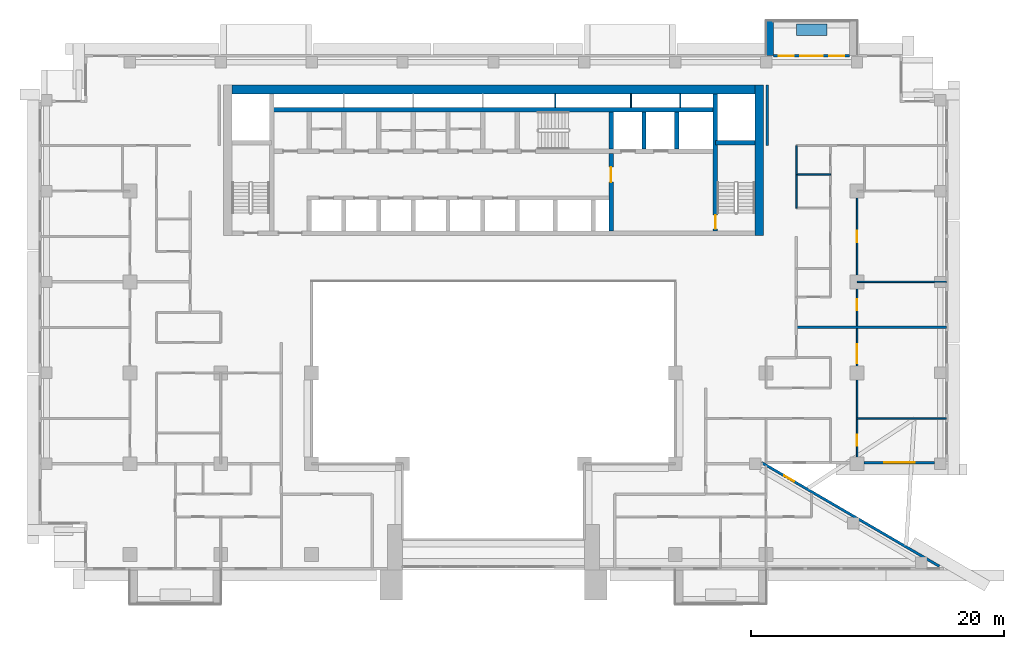
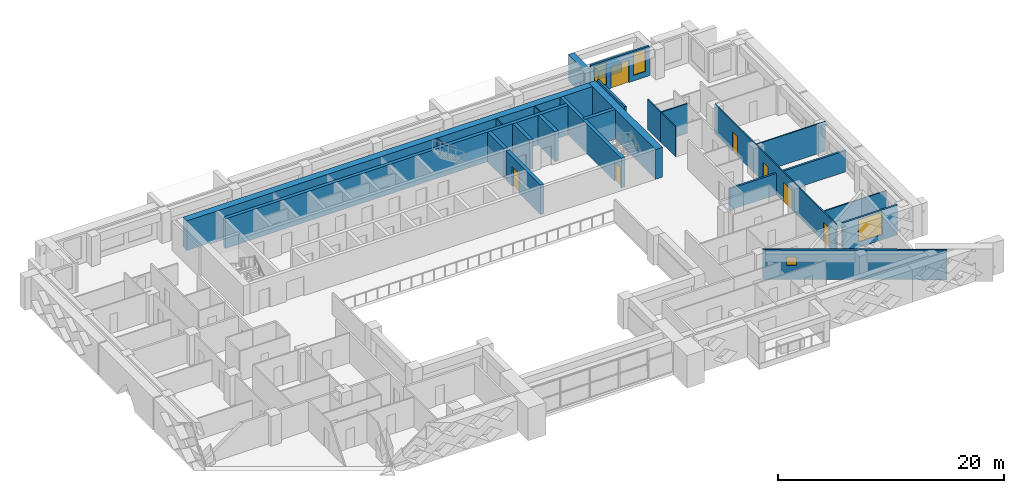
# One storey, part 11 of 19: 25 walls, 7 doors, 4 windows, 11 openings.
"""IFC4 building model written with IfcOpenShell, lengths in metres."""

from ifc_helpers import new_model, si_unit, direction, frame, frame_2d, origin, place, context, subcontext, project, spatial, rectangle, extrude, material, layer, layer_set, type_object, element, fill, save


model = new_model("IFC4")

# Units and contexts
model_context = context("Model", 3, precision=1e-05, world=origin(), true_north=direction((0.0, 1.0)))
body_context = subcontext(model_context, "Body", "Model", "MODEL_VIEW")
ifc_project = project(units=[si_unit("LENGTHUNIT", "METRE"), si_unit("AREAUNIT", "SQUARE_METRE"), si_unit("VOLUMEUNIT", "CUBIC_METRE"), si_unit("PLANEANGLEUNIT", "RADIAN"), si_unit("MASSUNIT", "GRAM", prefix="KILO")], contexts=[model_context])

# Site, building, storey
site_placement = place(None, origin())
site = spatial("IfcSite", under=ifc_project, at=site_placement, CompositionType="ELEMENT")
building_placement = place(site_placement, origin())
building = spatial("IfcBuilding", under=site, at=building_placement, Name="Saffron Iwan Residences", CompositionType="ELEMENT")
storey_placement = place(building_placement, frame((0.0, 0.0, 116.5)))
storey = spatial("IfcBuildingStorey", under=building, at=storey_placement, Name="L30", CompositionType="ELEMENT", Elevation=116.5)

# Walls
ifc_material_1 = material(Name="Concrete C50/60 white painted", Category="concrete")
ifc_layer_1 = layer(ifc_material_1, 0.60009765625)
ifc_layer_set_1 = layer_set([ifc_layer_1], Name="Concrete C50/60 white painted")
wall_type_1 = type_object("IfcWallType", Name="BALCONY FIN 600", PredefinedType="SOLIDWALL", material=ifc_layer_set_1)
wall_1_placement = place(storey_placement, frame((72.300048828125, 80.35009765625, 0.0), z_axis=(0.0, 0.0, 1.0), x_axis=(0.0, 1.0, 0.0)))
element("IfcWall", 1, at=wall_1_placement, inside=storey, type_object=wall_type_1, Name="Balcony fin L30 F5-0b", PredefinedType="SOLIDWALL", context=body_context, shape_type="SweptSolid", body=[
    extrude(rectangle(XDim=2.75, YDim=0.60009765625, at=frame_2d((1.375, 0.0))), origin(), (0.0, 0.0, 1.0), 2.85009765625),
])
ifc_material_2 = material(Name="Concrete C35/45 white painted", Category="concrete")
ifc_layer_2 = layer(ifc_material_2, 0.14990234375)
ifc_layer_set_2 = layer_set([ifc_layer_2], Name="Concrete C35/45 white painted")
wall_type_2 = type_object("IfcWallType", Name="BALCONY PLANTER", PredefinedType="SOLIDWALL", material=ifc_layer_set_2)
wall_2_placement = place(storey_placement, frame((76.800048828125, 82.375, 0.0), z_axis=(0.0, 0.0, 1.0), x_axis=(-1.0, 0.0, 0.0)))
element("IfcWall", 2, at=wall_2_placement, inside=storey, type_object=wall_type_2, Name="PLANTER L30 F5-0", PredefinedType="SOLIDWALL", context=body_context, shape_type="SweptSolid", body=[
    extrude(rectangle(XDim=2.400146484375, YDim=0.89990234375, at=frame_2d((1.2001953125, 0.0))), origin(), (0.0, 0.0, 1.0), 0.89990234375),
])

# Wall, opening, window
ifc_material_3 = material(Name="Concrete C40/50", Category="concrete")
ifc_layer_3 = layer(ifc_material_3, 0.199951171875)
ifc_layer_set_3 = layer_set([ifc_layer_3], Name="Concrete C40/50")
wall_type_3 = type_object("IfcWallType", Name="EXTERNAL WALL 200", PredefinedType="SOLIDWALL", material=ifc_layer_set_3)
wall_3_placement = place(storey_placement, frame((85.71923828125, 39.88134765625, 0.0), z_axis=(0.0, 0.0, 1.0), x_axis=(-0.86377618652, 0.503875678716, 0.0)))
wall_3 = element("IfcWall", 3, at=wall_3_placement, inside=storey, type_object=wall_type_3, Name="External wall L30 F0.0", PredefinedType="SOLIDWALL", context=body_context, shape_type="SweptSolid", body=[
    extrude(rectangle(XDim=16.31103515625, YDim=0.199951171875, at=frame_2d((8.155517578125, 0.0))), origin(), (0.0, 0.0, 1.0), 3.199951171875),
])
opening_1_placement = place(wall_3_placement, frame((13.32568359375, 0.0, 1.5)))
opening_1 = element("IfcOpeningElement", 4, at=opening_1_placement, cuts=wall_3, Name="Opening W6", PredefinedType="OPENING", context=body_context, shape_type="SweptSolid", body=[
    extrude(rectangle(XDim=0.89990234375, YDim=0.89990234375, at=frame_2d((0.449951171875, 0.449951171875))), frame((0.0, 0.10986328125, 0.0), z_axis=(0.0, -1.0, 0.0), x_axis=(1.0, 0.0, 0.0)), (0.0, 0.0, 1.0), 0.219970703125),
])
ifc_material_4 = material(Name="Clear glass, laminated double glazed", Category="glass")
window_type_1 = type_object("IfcWindowType", Name="WINDOW 900 x 900 BATH", PartitioningType="SINGLE_PANEL", PredefinedType="WINDOW", material=ifc_material_4)
window_1_placement = place(opening_1_placement, origin())
window_1 = element("IfcWindow", 5, at=window_1_placement, inside=storey, type_object=window_type_1, Name="Window L30 F0.0", OverallHeight=0.89990234375, OverallWidth=0.89990234375, PartitioningType="SINGLE_PANEL", PredefinedType="WINDOW", context=body_context, shape_type="SweptSolid", body=[
    extrude(rectangle(XDim=0.89990234375, YDim=0.89990234375, at=frame_2d((0.449951171875, 0.449951171875))), frame((0.0, 0.030029296875, 0.0), z_axis=(0.0, -1.0, 0.0), x_axis=(1.0, 0.0, 0.0)), (0.0, 0.0, 1.0), 0.06005859375),
])
fill(opening_1, window_1)

wall_4_placement = place(storey_placement, frame((79.75, 48.10009765625, 0.0), z_axis=(0.0, 0.0, 1.0), x_axis=(1.0, 0.0, 0.0)))
wall_4 = element("IfcWall", 6, at=wall_4_placement, inside=storey, type_object=wall_type_3, Name="External wall L30 F1.1", PredefinedType="SOLIDWALL", context=body_context, shape_type="SweptSolid", body=[
    extrude(rectangle(XDim=5.60009765625, YDim=0.199951171875, at=frame_2d((2.800048828125, 0.0))), origin(), (0.0, 0.0, 1.0), 3.199951171875),
])
opening_2_placement = place(wall_4_placement, frame((1.60009765625, 0.0, 0.60009765625)))
opening_2 = element("IfcOpeningElement", 7, at=opening_2_placement, cuts=wall_4, Name="Opening W1", PredefinedType="OPENING", context=body_context, shape_type="SweptSolid", body=[
    extrude(rectangle(XDim=2.39990234375, YDim=2.39990234375, at=frame_2d((1.199951171875, 1.199951171875))), frame((0.0, 0.10986328125, 0.0), z_axis=(0.0, -1.0, 0.0), x_axis=(1.0, 0.0, 0.0)), (0.0, 0.0, 1.0), 0.219970703125),
])
window_type_2 = type_object("IfcWindowType", Name="WINDOW 2400 x 2400", PartitioningType="DOUBLE_PANEL_VERTICAL", PredefinedType="WINDOW", material=ifc_material_4)
window_2_placement = place(opening_2_placement, origin())
window_2 = element("IfcWindow", 8, at=window_2_placement, inside=storey, type_object=window_type_2, Name="Window L30 F1.0", OverallHeight=2.39990234375, OverallWidth=2.39990234375, PartitioningType="DOUBLE_PANEL_VERTICAL", PredefinedType="WINDOW", context=body_context, shape_type="SweptSolid", body=[
    extrude(rectangle(XDim=2.39990234375, YDim=2.39990234375, at=frame_2d((1.199951171875, 1.199951171875))), frame((0.0, 0.030029296875, 0.0), z_axis=(0.0, -1.0, 0.0), x_axis=(1.0, 0.0, 0.0)), (0.0, 0.0, 1.0), 0.06005859375),
])
fill(opening_2, window_2)

# Wall, openings, door, windows
wall_5_placement = place(storey_placement, frame((78.60009765625, 80.300048828125, 0.0), z_axis=(0.0, 0.0, 1.0), x_axis=(-1.0, 0.0, 0.0)))
wall_5 = element("IfcWall", 9, at=wall_5_placement, inside=storey, type_object=wall_type_3, Name="External wall L30 F5.1", PredefinedType="SOLIDWALL", context=body_context, shape_type="SweptSolid", body=[
    extrude(rectangle(XDim=6.0, YDim=0.199951171875, at=frame_2d((3.0, 0.0))), origin(), (0.0, 0.0, 1.0), 3.199951171875),
])
opening_3_placement = place(wall_5_placement, frame((2.10009765625, 0.0, 0.0)))
opening_3 = element("IfcOpeningElement", 10, at=opening_3_placement, cuts=wall_5, Name="Opening BD1", PredefinedType="OPENING", context=body_context, shape_type="SweptSolid", body=[
    extrude(rectangle(XDim=1.800048828125, YDim=2.39990234375, at=frame_2d((0.89990234375, 1.199951171875))), frame((0.0, 0.10986328125, 0.0), z_axis=(0.0, -1.0, 0.0), x_axis=(1.0, 0.0, 0.0)), (0.0, 0.0, 1.0), 0.219970703125),
])
opening_4_placement = place(wall_5_placement, frame((0.39990234375, 0.0, 0.60009765625)))
opening_4 = element("IfcOpeningElement", 11, at=opening_4_placement, cuts=wall_5, Name="Opening W3", PredefinedType="OPENING", context=body_context, shape_type="SweptSolid", body=[
    extrude(rectangle(XDim=1.199951171875, YDim=2.39990234375, at=frame_2d((0.60009765625, 1.199951171875))), frame((0.0, 0.10986328125, 0.0), z_axis=(0.0, -1.0, 0.0), x_axis=(1.0, 0.0, 0.0)), (0.0, 0.0, 1.0), 0.219970703125),
])
opening_5_placement = place(wall_5_placement, frame((4.39990234375, 0.0, 0.60009765625)))
opening_5 = element("IfcOpeningElement", 12, at=opening_5_placement, cuts=wall_5, Name="Opening W3", PredefinedType="OPENING", context=body_context, shape_type="SweptSolid", body=[
    extrude(rectangle(XDim=1.199951171875, YDim=2.39990234375, at=frame_2d((0.60009765625, 1.199951171875))), frame((0.0, 0.10986328125, 0.0), z_axis=(0.0, -1.0, 0.0), x_axis=(1.0, 0.0, 0.0)), (0.0, 0.0, 1.0), 0.219970703125),
])
door_type_1 = type_object("IfcDoorType", Name="BALCONY DOOR 1800 x 2400", OperationType="DOUBLE_DOOR_SLIDING", PredefinedType="DOOR", material=ifc_material_4)
door_1_placement = place(opening_3_placement, origin())
door_1 = element("IfcDoor", 13, at=door_1_placement, inside=storey, type_object=door_type_1, Name="Balcony door L30 F5.0", OperationType="DOUBLE_DOOR_SLIDING", OverallHeight=2.39990234375, OverallWidth=1.800048828125, PredefinedType="DOOR", context=body_context, shape_type="SweptSolid", body=[
    extrude(rectangle(XDim=1.800048828125, YDim=2.39990234375, at=frame_2d((0.89990234375, 1.199951171875))), frame((0.0, 0.02490234375, 0.0), z_axis=(0.0, -1.0, 0.0), x_axis=(1.0, 0.0, 0.0)), (0.0, 0.0, 1.0), 0.050048828125),
])
fill(opening_3, door_1)
window_type_3 = type_object("IfcWindowType", Name="WINDOW 1200 x 2400", PartitioningType="SINGLE_PANEL", PredefinedType="WINDOW", material=ifc_material_4)
window_3_placement = place(opening_4_placement, origin())
window_3 = element("IfcWindow", 14, at=window_3_placement, inside=storey, type_object=window_type_3, Name="Window L30 F5.1", OverallHeight=2.39990234375, OverallWidth=1.199951171875, PartitioningType="SINGLE_PANEL", PredefinedType="WINDOW", context=body_context, shape_type="SweptSolid", body=[
    extrude(rectangle(XDim=1.199951171875, YDim=2.39990234375, at=frame_2d((0.60009765625, 1.199951171875))), frame((0.0, 0.030029296875, 0.0), z_axis=(0.0, -1.0, 0.0), x_axis=(1.0, 0.0, 0.0)), (0.0, 0.0, 1.0), 0.06005859375),
])
fill(opening_4, window_3)
window_4_placement = place(opening_5_placement, origin())
window_4 = element("IfcWindow", 15, at=window_4_placement, inside=storey, type_object=window_type_3, Name="Window L30 F5.2", OverallHeight=2.39990234375, OverallWidth=1.199951171875, PartitioningType="SINGLE_PANEL", PredefinedType="WINDOW", context=body_context, shape_type="SweptSolid", body=[
    extrude(rectangle(XDim=1.199951171875, YDim=2.39990234375, at=frame_2d((0.60009765625, 1.199951171875))), frame((0.0, 0.030029296875, 0.0), z_axis=(0.0, -1.0, 0.0), x_axis=(1.0, 0.0, 0.0)), (0.0, 0.0, 1.0), 0.06005859375),
])
fill(opening_5, window_4)

# Walls
ifc_material_5 = material(Name="Fire-rated gypsum board wall")
ifc_layer_4 = layer(ifc_material_5, 0.199951171875)
ifc_layer_set_4 = layer_set([ifc_layer_4], Name="Fire-rated gypsum board wall")
wall_type_4 = type_object("IfcWallType", Name="Flat demising wall 200", PredefinedType="SOLIDWALL", material=ifc_layer_set_4)
wall_6_placement = place(storey_placement, frame((74.39990234375, 58.800048828125, 0.0), z_axis=(0.0, 0.0, 1.0), x_axis=(1.0, 0.0, 0.0)))
element("IfcWall", 16, at=wall_6_placement, inside=storey, type_object=wall_type_4, Name="W-L30-DEMISE-h58.8-74.4", PredefinedType="SOLIDWALL", context=body_context, shape_type="SweptSolid", body=[
    extrude(rectangle(XDim=11.875, YDim=0.199951171875, at=frame_2d((5.9375, 0.0))), origin(), (0.0, 0.0, 1.0), 2.300048828125),
])
ifc_material_6 = material(Name="Gypsum board partition")
ifc_layer_5 = layer(ifc_material_6, 0.1201171875)
ifc_layer_set_5 = layer_set([ifc_layer_5], Name="Gypsum board partition")
wall_type_5 = type_object("IfcWallType", Name="Flat partition 120", PredefinedType="PARTITIONING", material=ifc_layer_set_5)
wall_7_placement = place(storey_placement, frame((79.199951171875, 51.60009765625, 0.0), z_axis=(0.0, 0.0, 1.0), x_axis=(1.0, 0.0, 0.0)))
element("IfcWall", 17, at=wall_7_placement, inside=storey, type_object=wall_type_5, Name="W-L30-PART-h51.6-79.2", PredefinedType="PARTITIONING", context=body_context, shape_type="SweptSolid", body=[
    extrude(rectangle(XDim=7.074951171875, YDim=0.1201171875, at=frame_2d((3.53759765625, 0.0))), origin(), (0.0, 0.0, 1.0), 2.300048828125),
])
wall_8_placement = place(storey_placement, frame((79.199951171875, 62.39990234375, 0.0), z_axis=(0.0, 0.0, 1.0), x_axis=(1.0, 0.0, 0.0)))
element("IfcWall", 18, at=wall_8_placement, inside=storey, type_object=wall_type_5, Name="W-L30-PART-h62.4-79.2", PredefinedType="PARTITIONING", context=body_context, shape_type="SweptSolid", body=[
    extrude(rectangle(XDim=7.074951171875, YDim=0.1201171875, at=frame_2d((3.53759765625, 0.0))), origin(), (0.0, 0.0, 1.0), 3.199951171875),
])
wall_9_placement = place(storey_placement, frame((74.39990234375, 70.89990234375, 0.0), z_axis=(0.0, 0.0, 1.0), x_axis=(1.0, 0.0, 0.0)))
element("IfcWall", 19, at=wall_9_placement, inside=storey, type_object=wall_type_5, Name="W-L30-PART-h70.9-74.4", PredefinedType="PARTITIONING", context=body_context, shape_type="SweptSolid", body=[
    extrude(rectangle(XDim=2.7001953125, YDim=0.1201171875, at=frame_2d((1.35009765625, 0.0))), origin(), (0.0, 0.0, 1.0), 3.199951171875),
])
wall_10_placement = place(storey_placement, frame((74.39990234375, 68.25, 0.0), z_axis=(0.0, 0.0, 1.0), x_axis=(0.0, 1.0, 0.0)))
element("IfcWall", 20, at=wall_10_placement, inside=storey, type_object=wall_type_5, Name="W-L30-PART-v74.4-68.25", PredefinedType="PARTITIONING", context=body_context, shape_type="SweptSolid", body=[
    extrude(rectangle(XDim=2.64990234375, YDim=0.1201171875, at=frame_2d((1.324951171875, 0.0))), origin(), (0.0, 0.0, 1.0), 3.199951171875),
])
wall_11_placement = place(storey_placement, frame((74.39990234375, 70.89990234375, 0.0), z_axis=(0.0, 0.0, 1.0), x_axis=(0.0, 1.0, 0.0)))
element("IfcWall", 21, at=wall_11_placement, inside=storey, type_object=wall_type_5, Name="W-L30-PART-v74.4-70.9", PredefinedType="PARTITIONING", context=body_context, shape_type="SweptSolid", body=[
    extrude(rectangle(XDim=2.300048828125, YDim=0.1201171875, at=frame_2d((1.14990234375, 0.0))), origin(), (0.0, 0.0, 1.0), 3.199951171875),
])

# Wall, openings, doors
wall_12_placement = place(storey_placement, frame((79.199951171875, 48.125, 0.0), z_axis=(0.0, 0.0, 1.0), x_axis=(0.0, 1.0, 0.0)))
wall_12 = element("IfcWall", 22, at=wall_12_placement, inside=storey, type_object=wall_type_5, Name="W-L30-PART-v79.2-48.125", PredefinedType="PARTITIONING", context=body_context, shape_type="SweptSolid", body=[
    extrude(rectangle(XDim=21.47509765625, YDim=0.1201171875, at=frame_2d((10.737548828125, 0.0))), origin(), (0.0, 0.0, 1.0), 3.199951171875),
])
opening_6_placement = place(wall_12_placement, frame((1.28759765625, 0.0, 0.0)))
opening_6 = element("IfcOpeningElement", 23, at=opening_6_placement, cuts=wall_12, Name="Opening FD2", PredefinedType="OPENING", context=body_context, shape_type="SweptSolid", body=[
    extrude(rectangle(XDim=0.89990234375, YDim=2.10009765625, at=frame_2d((0.449951171875, 1.050048828125))), frame((0.0, 0.070068359375, 0.0), z_axis=(0.0, -1.0, 0.0), x_axis=(1.0, 0.0, 0.0)), (0.0, 0.0, 1.0), 0.14013671875),
])
opening_7_placement = place(wall_12_placement, frame((7.824951171875, 0.0, 0.0)))
opening_7 = element("IfcOpeningElement", 24, at=opening_7_placement, cuts=wall_12, Name="Opening FD4", PredefinedType="OPENING", context=body_context, shape_type="SweptSolid", body=[
    extrude(rectangle(XDim=1.5, YDim=2.10009765625, at=frame_2d((0.75, 1.050048828125))), frame((0.0, 0.070068359375, 0.0), z_axis=(0.0, -1.0, 0.0), x_axis=(1.0, 0.0, 0.0)), (0.0, 0.0, 1.0), 0.14013671875),
])
opening_8_placement = place(wall_12_placement, frame((12.02490234375, 0.0, 0.0)))
opening_8 = element("IfcOpeningElement", 25, at=opening_8_placement, cuts=wall_12, Name="Opening FD2", PredefinedType="OPENING", context=body_context, shape_type="SweptSolid", body=[
    extrude(rectangle(XDim=0.89990234375, YDim=2.10009765625, at=frame_2d((0.449951171875, 1.050048828125))), frame((0.0, 0.070068359375, 0.0), z_axis=(0.0, -1.0, 0.0), x_axis=(1.0, 0.0, 0.0)), (0.0, 0.0, 1.0), 0.14013671875),
])
opening_9_placement = place(wall_12_placement, frame((17.425048828125, 0.0, 0.0)))
opening_9 = element("IfcOpeningElement", 26, at=opening_9_placement, cuts=wall_12, Name="Opening FD2", PredefinedType="OPENING", context=body_context, shape_type="SweptSolid", body=[
    extrude(rectangle(XDim=0.89990234375, YDim=2.10009765625, at=frame_2d((0.449951171875, 1.050048828125))), frame((0.0, 0.070068359375, 0.0), z_axis=(0.0, -1.0, 0.0), x_axis=(1.0, 0.0, 0.0)), (0.0, 0.0, 1.0), 0.14013671875),
])
ifc_material_7 = material(Name="Timber door", Category="wood")
door_type_2 = type_object("IfcDoorType", Name="Double door 1500", OperationType="NOTDEFINED", PredefinedType="DOOR", material=ifc_material_7)
door_2_placement = place(opening_7_placement, origin())
door_2 = element("IfcDoor", 27, at=door_2_placement, inside=storey, type_object=door_type_2, Name="Door L30-018", OperationType="SINGLE_SWING_RIGHT", OverallHeight=2.10009765625, OverallWidth=1.5, PredefinedType="DOOR", context=body_context, shape_type="SweptSolid", body=[
    extrude(rectangle(XDim=1.5, YDim=2.10009765625, at=frame_2d((0.75, 1.050048828125))), frame((0.0, 0.02490234375, 0.0), z_axis=(0.0, -1.0, 0.0), x_axis=(1.0, 0.0, 0.0)), (0.0, 0.0, 1.0), 0.050048828125),
])
fill(opening_7, door_2)
door_type_3 = type_object("IfcDoorType", Name="Flat door 900", OperationType="NOTDEFINED", PredefinedType="DOOR", material=ifc_material_7)
door_3_placement = place(opening_6_placement, origin())
door_3 = element("IfcDoor", 28, at=door_3_placement, inside=storey, type_object=door_type_3, Name="Door L30-017", OperationType="SINGLE_SWING_LEFT", OverallHeight=2.10009765625, OverallWidth=0.89990234375, PredefinedType="DOOR", context=body_context, shape_type="SweptSolid", body=[
    extrude(rectangle(XDim=0.89990234375, YDim=2.10009765625, at=frame_2d((0.449951171875, 1.050048828125))), frame((0.0, 0.02490234375, 0.0), z_axis=(0.0, -1.0, 0.0), x_axis=(1.0, 0.0, 0.0)), (0.0, 0.0, 1.0), 0.050048828125),
])
fill(opening_6, door_3)
door_4_placement = place(opening_8_placement, origin())
door_4 = element("IfcDoor", 29, at=door_4_placement, inside=storey, type_object=door_type_3, Name="Door L30-030", OperationType="SINGLE_SWING_LEFT", OverallHeight=2.10009765625, OverallWidth=0.89990234375, PredefinedType="DOOR", context=body_context, shape_type="SweptSolid", body=[
    extrude(rectangle(XDim=0.89990234375, YDim=2.10009765625, at=frame_2d((0.449951171875, 1.050048828125))), frame((0.0, 0.02490234375, 0.0), z_axis=(0.0, -1.0, 0.0), x_axis=(1.0, 0.0, 0.0)), (0.0, 0.0, 1.0), 0.050048828125),
])
fill(opening_8, door_4)
door_5_placement = place(opening_9_placement, origin())
door_5 = element("IfcDoor", 30, at=door_5_placement, inside=storey, type_object=door_type_3, Name="Door L30-031", OperationType="SINGLE_SWING_RIGHT", OverallHeight=2.10009765625, OverallWidth=0.89990234375, PredefinedType="DOOR", context=body_context, shape_type="SweptSolid", body=[
    extrude(rectangle(XDim=0.89990234375, YDim=2.10009765625, at=frame_2d((0.449951171875, 1.050048828125))), frame((0.0, 0.02490234375, 0.0), z_axis=(0.0, -1.0, 0.0), x_axis=(1.0, 0.0, 0.0)), (0.0, 0.0, 1.0), 0.050048828125),
])
fill(opening_9, door_5)

# Walls
ifc_layer_6 = layer(ifc_material_5, 0.199951171875)
ifc_layer_set_6 = layer_set([ifc_layer_6], Name="Fire-rated gypsum board wall")
wall_type_6 = type_object("IfcWallType", Name="Gallery wall 200", PredefinedType="SOLIDWALL", material=ifc_layer_set_6)
wall_13_placement = place(storey_placement, frame((72.10009765625, 73.199951171875, 0.0), z_axis=(0.0, 0.0, 1.0), x_axis=(0.0, 1.0, 0.0)))
element("IfcWall", 31, at=wall_13_placement, inside=storey, type_object=wall_type_6, Name="W-L30-CORR-v72-73.2", PredefinedType="SOLIDWALL", context=body_context, shape_type="SweptSolid", body=[
    extrude(rectangle(XDim=4.800048828125, YDim=0.199951171875, at=frame_2d((2.39990234375, 0.0))), origin(), (0.0, 0.0, 1.0), 3.199951171875),
])
ifc_material_8 = material(Name="Fire-rated plasterboard partition")
ifc_layer_7 = layer(ifc_material_8, 0.10009765625)
ifc_layer_set_7 = layer_set([ifc_layer_7], Name="Fire-rated plasterboard partition")
wall_type_7 = type_object("IfcWallType", Name="Riser partition 100", PredefinedType="PARTITIONING", material=ifc_layer_set_7)
for number, where, z_axis, x_axis, name in (
    (32, (55.300048828125, 76.22509765625, 0.0), (0.0, 0.0, 1.0), (0.0, 1.0, 0.0), "Core partition P08"),
    (33, (61.300048828125, 76.22509765625, 0.0), (0.0, 0.0, 1.0), (0.0, 1.0, 0.0), "Core partition P09"),
    (34, (65.199951171875, 76.22509765625, 0.0), (0.0, 0.0, 1.0), (0.0, 1.0, 0.0), "Core partition P10"),
):
    element("IfcWall", number, at=place(storey_placement, frame(where, z_axis=z_axis, x_axis=x_axis)), inside=storey, type_object=wall_type_7, Name=name, PredefinedType="PARTITIONING", context=body_context, shape_type="SweptSolid", body=[
        extrude(rectangle(XDim=1.074951171875, YDim=0.10009765625, at=frame_2d((0.53759765625, 0.0))), origin(), (0.0, 0.0, 1.0), 3.199951171875),
    ])
ifc_material_9 = material(Name="Concrete C50/60", Category="concrete")
ifc_layer_8 = layer(ifc_material_9, 0.35009765625)
ifc_layer_set_8 = layer_set([ifc_layer_8], Name="Concrete C50/60")
wall_type_8 = type_object("IfcWallType", Name="WALL CORE 350 C50/60 3200 HIGH", PredefinedType="SHEAR", material=ifc_layer_set_8)
wall_14_placement = place(storey_placement, frame((32.824951171875, 76.050048828125, 0.0), z_axis=(0.0, 0.0, 1.0), x_axis=(1.0, 0.0, 0.0)))
element("IfcWall", 35, at=wall_14_placement, inside=storey, type_object=wall_type_8, Name="Core wall", PredefinedType="SHEAR", context=body_context, shape_type="SweptSolid", body=[
    extrude(rectangle(XDim=35.150146484375, YDim=0.35009765625, at=frame_2d((17.5751953125, 0.0))), origin(), (0.0, 0.0, 1.0), 3.199951171875),
])
wall_15_placement = place(storey_placement, frame((67.97509765625, 73.425048828125, 0.0), z_axis=(0.0, 0.0, 1.0), x_axis=(1.0, 0.0, 0.0)))
element("IfcWall", 36, at=wall_15_placement, inside=storey, type_object=wall_type_8, Name="Core wall", PredefinedType="SHEAR", context=body_context, shape_type="SweptSolid", body=[
    extrude(rectangle(XDim=3.125, YDim=0.35009765625, at=frame_2d((1.5625, 0.0))), origin(), (0.0, 0.0, 1.0), 3.199951171875),
])

# Wall, opening, door
wall_16_placement = place(storey_placement, frame((67.97509765625, 66.449951171875, 0.0), z_axis=(0.0, 0.0, 1.0), x_axis=(0.0, 1.0, 0.0)))
wall_16 = element("IfcWall", 37, at=wall_16_placement, inside=storey, type_object=wall_type_8, Name="Core wall", PredefinedType="SHEAR", context=body_context, shape_type="SweptSolid", body=[
    extrude(rectangle(XDim=10.85009765625, YDim=0.35009765625, at=frame_2d((5.425048828125, 0.0))), origin(), (0.0, 0.0, 1.0), 3.199951171875),
])
opening_10_placement = place(wall_16_placement, frame((0.14990234375, 0.0, 0.0)))
opening_10 = element("IfcOpeningElement", 38, at=opening_10_placement, cuts=wall_16, Name="Opening SD", PredefinedType="OPENING", context=body_context, shape_type="SweptSolid", body=[
    extrude(rectangle(XDim=1.10009765625, YDim=2.10009765625, at=frame_2d((0.550048828125, 1.050048828125))), frame((0.0, 0.18505859375, 0.0), z_axis=(0.0, -1.0, 0.0), x_axis=(1.0, 0.0, 0.0)), (0.0, 0.0, 1.0), 0.3701171875),
])
ifc_material_10 = material(Name="Steel fire door", Category="steel")
door_type_4 = type_object("IfcDoorType", Name="Stair door 1100", OperationType="NOTDEFINED", PredefinedType="DOOR", material=ifc_material_10)
door_6_placement = place(opening_10_placement, origin())
door_6 = element("IfcDoor", 39, at=door_6_placement, inside=storey, type_object=door_type_4, Name="Stair door ST-E", OperationType="SINGLE_SWING_LEFT", OverallHeight=2.10009765625, OverallWidth=1.10009765625, PredefinedType="DOOR", context=body_context, shape_type="SweptSolid", body=[
    extrude(rectangle(XDim=1.10009765625, YDim=2.10009765625, at=frame_2d((0.550048828125, 1.050048828125))), frame((0.0, 0.02490234375, 0.0), z_axis=(0.0, -1.0, 0.0), x_axis=(1.0, 0.0, 0.0)), (0.0, 0.0, 1.0), 0.050048828125),
])
fill(opening_10, door_6)

wall_17_placement = place(storey_placement, frame((59.72509765625, 66.449951171875, 0.0), z_axis=(0.0, 0.0, 1.0), x_axis=(0.0, 1.0, 0.0)))
wall_17 = element("IfcWall", 40, at=wall_17_placement, inside=storey, type_object=wall_type_8, Name="Core wall", PredefinedType="SHEAR", context=body_context, shape_type="SweptSolid", body=[
    extrude(rectangle(XDim=6.125, YDim=0.35009765625, at=frame_2d((3.0625, 0.0))), origin(), (0.0, 0.0, 1.0), 3.199951171875),
])
opening_11_placement = place(wall_17_placement, frame((3.85009765625, 0.0, 0.0)))
opening_11 = element("IfcOpeningElement", 41, at=opening_11_placement, cuts=wall_17, Name="Opening FD", PredefinedType="OPENING", context=body_context, shape_type="SweptSolid", body=[
    extrude(rectangle(XDim=1.199951171875, YDim=2.10009765625, at=frame_2d((0.60009765625, 1.050048828125))), frame((0.0, 0.18505859375, 0.0), z_axis=(0.0, -1.0, 0.0), x_axis=(1.0, 0.0, 0.0)), (0.0, 0.0, 1.0), 0.3701171875),
])
door_type_5 = type_object("IfcDoorType", Name="Firefighting lobby door 1200", OperationType="NOTDEFINED", PredefinedType="DOOR", material=ifc_material_10)
door_7_placement = place(opening_11_placement, origin())
door_7 = element("IfcDoor", 42, at=door_7_placement, inside=storey, type_object=door_type_5, Name="Firefighting lobby door", OperationType="SINGLE_SWING_LEFT", OverallHeight=2.10009765625, OverallWidth=1.199951171875, PredefinedType="DOOR", context=body_context, shape_type="SweptSolid", body=[
    extrude(rectangle(XDim=1.199951171875, YDim=2.10009765625, at=frame_2d((0.60009765625, 1.050048828125))), frame((0.0, 0.02490234375, 0.0), z_axis=(0.0, -1.0, 0.0), x_axis=(1.0, 0.0, 0.0)), (0.0, 0.0, 1.0), 0.050048828125),
])
fill(opening_11, door_7)

# Walls
for number, where, z_axis, x_axis, name in (
    (43, (59.72509765625, 72.925048828125, 0.0), (0.0, 0.0, 1.0), (0.0, 1.0, 0.0), "Core wall"),
    (44, (62.324951171875, 72.925048828125, 0.0), (0.0, 0.0, 1.0), (0.0, 1.0, 0.0), "Core wall"),
    (45, (64.925048828125, 72.925048828125, 0.0), (0.0, 0.0, 1.0), (0.0, 1.0, 0.0), "Core wall"),
):
    element("IfcWall", number, at=place(storey_placement, frame(where, z_axis=z_axis, x_axis=x_axis)), inside=storey, type_object=wall_type_8, Name=name, PredefinedType="SHEAR", context=body_context, shape_type="SweptSolid", body=[
        extrude(rectangle(XDim=2.949951171875, YDim=0.35009765625, at=frame_2d((1.47509765625, 0.0))), origin(), (0.0, 0.0, 1.0), 3.199951171875),
    ])
ifc_layer_9 = layer(ifc_material_9, 0.699951171875)
ifc_layer_set_9 = layer_set([ifc_layer_9], Name="Concrete C50/60")
wall_type_9 = type_object("IfcWallType", Name="WALL CORE 700 C50/60 3200 HIGH", PredefinedType="SHEAR", material=ifc_layer_set_9)
wall_18_placement = place(storey_placement, frame((71.449951171875, 66.10009765625, 0.0), z_axis=(0.0, 0.0, 1.0), x_axis=(0.0, 1.0, 0.0)))
element("IfcWall", 46, at=wall_18_placement, inside=storey, type_object=wall_type_9, Name="Core wall", PredefinedType="SHEAR", context=body_context, shape_type="SweptSolid", body=[
    extrude(rectangle(XDim=11.89990234375, YDim=0.699951171875, at=frame_2d((5.949951171875, 0.0))), origin(), (0.0, 0.0, 1.0), 3.199951171875),
])
wall_19_placement = place(storey_placement, frame((29.699951171875, 77.64990234375, 0.0), z_axis=(0.0, 0.0, 1.0), x_axis=(1.0, 0.0, 0.0)))
element("IfcWall", 47, at=wall_19_placement, inside=storey, type_object=wall_type_9, Name="Core wall", PredefinedType="SHEAR", context=body_context, shape_type="SweptSolid", body=[
    extrude(rectangle(XDim=41.400146484375, YDim=0.699951171875, at=frame_2d((20.7001953125, 0.0))), origin(), (0.0, 0.0, 1.0), 3.199951171875),
])

save(model, "model.ifc")
